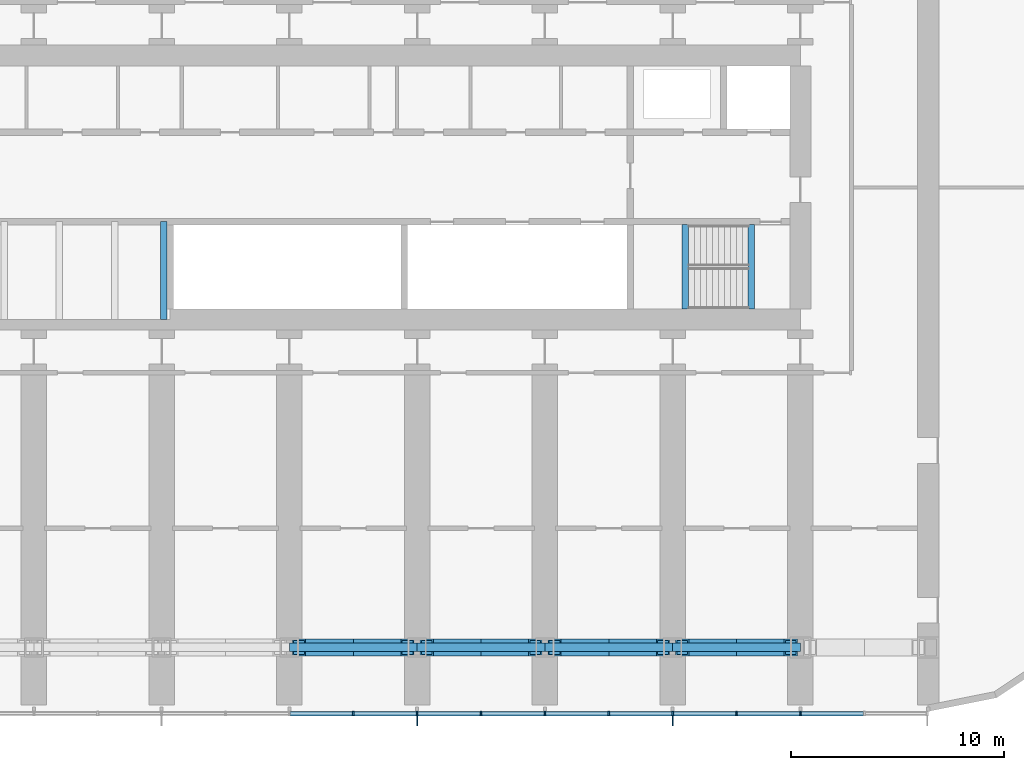
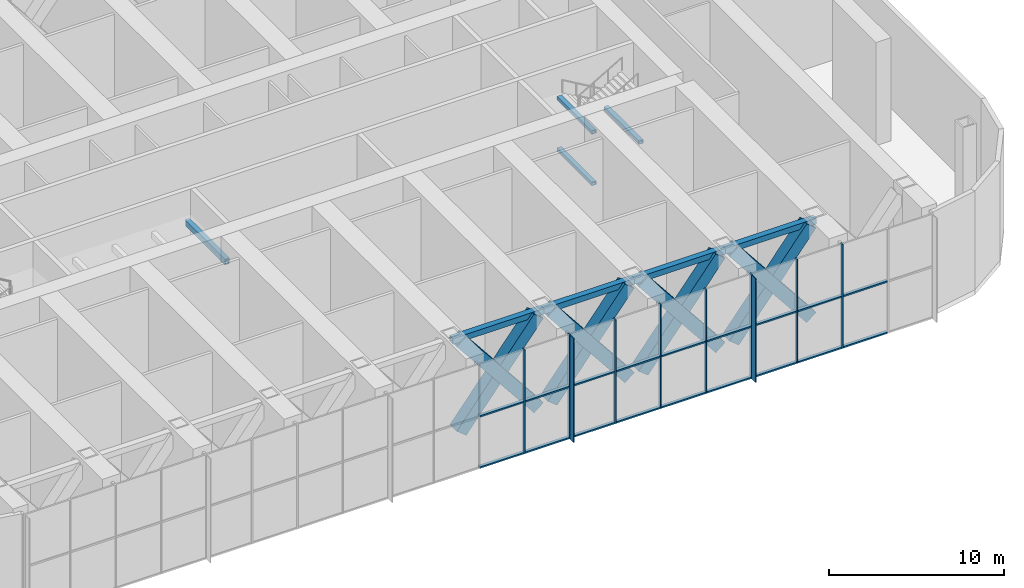
# One storey, part 3 of 24: 36 members, 8 beams, 1 element without a shape of its own.
"""IFC4 building model written with IfcOpenShell, lengths in metres."""

from ifc_helpers import new_model, si_unit, direction, frame, origin, origin_2d, place, context, subcontext, project, spatial, rectangle, hollow_rectangle, extrude, material, material_profile, profile_set, type_object, element, aggregate, save


model = new_model("IFC4")

# Units and contexts
model_context = context("Model", 3, precision=1e-05, world=origin(), true_north=direction((0.0, 1.0)))
body_context = subcontext(model_context, "Body", "Model", "MODEL_VIEW")
ifc_project = project(units=[si_unit("LENGTHUNIT", "METRE"), si_unit("AREAUNIT", "SQUARE_METRE"), si_unit("VOLUMEUNIT", "CUBIC_METRE"), si_unit("PLANEANGLEUNIT", "RADIAN"), si_unit("MASSUNIT", "GRAM", prefix="KILO")], contexts=[model_context])

# Site, building, storey
site_placement = place(None, origin())
site = spatial("IfcSite", under=ifc_project, at=site_placement, CompositionType="ELEMENT")
building_placement = place(site_placement, origin())
building = spatial("IfcBuilding", under=site, at=building_placement, Name="Orbita Commons", CompositionType="ELEMENT")
storey_placement = place(building_placement, frame((0.0, 0.0, 68.949951171875)))
storey = spatial("IfcBuildingStorey", under=building, at=storey_placement, Name="L17", CompositionType="ELEMENT", Elevation=68.949951171875)

# Members
ifc_material_1 = material(Name="Steel ASTM A572 Gr 50 welded plate", Category="steel")
ifc_material_profile_1 = material_profile(ifc_material_1, hollow_rectangle(XDim=0.800048828125, YDim=0.800048828125, WallThickness=0.080078125, at=origin_2d()), Name="BOX 800x800x80")
ifc_profile_set_1 = profile_set([ifc_material_profile_1], Name="Steel ASTM A572 Gr 50 welded plate")
member_type_1 = type_object("IfcMemberType", Name="Belt truss diagonal BOX 800x800x80", PredefinedType="BRACE", material=ifc_profile_set_1)
for number, where, z_axis, x_axis, name in (
    (1, (42.449951171875, 10.39990234375, 0.25), (0.623202279578, 0.0, 0.782060687369), (0.0, 1.0, 0.0), "Belt truss diagonal B 8-9 rising L17"),
    (2, (42.449951171875, 10.39990234375, 6.650146484375), (0.623202279578, 0.0, -0.782060687369), (0.0, 1.0, 0.0), "Belt truss diagonal B 8-9 falling L17"),
    (3, (48.449951171875, 10.39990234375, 0.25), (0.623202279578, 0.0, 0.782060687369), (0.0, 1.0, 0.0), "Belt truss diagonal B 9-10 rising L17"),
    (4, (48.449951171875, 10.39990234375, 6.650146484375), (0.623202279578, 0.0, -0.782060687369), (0.0, 1.0, 0.0), "Belt truss diagonal B 9-10 falling L17"),
    (5, (54.449951171875, 10.39990234375, 0.25), (0.623202279578, 0.0, 0.782060687369), (0.0, 1.0, 0.0), "Belt truss diagonal B 10-11 rising L17"),
    (6, (54.449951171875, 10.39990234375, 6.650146484375), (0.623202279578, 0.0, -0.782060687369), (0.0, 1.0, 0.0), "Belt truss diagonal B 10-11 falling L17"),
    (7, (60.449951171875, 10.39990234375, 0.25), (0.623202279578, 0.0, 0.782060687369), (0.0, 1.0, 0.0), "Belt truss diagonal B 11-12 rising L17"),
    (8, (60.449951171875, 10.39990234375, 6.650146484375), (0.623202279578, 0.0, -0.782060687369), (0.0, 1.0, 0.0), "Belt truss diagonal B 11-12 falling L17"),
):
    element("IfcMember", number, at=place(storey_placement, frame(where, z_axis=z_axis, x_axis=x_axis)), inside=storey, type_object=member_type_1, Name=name, PredefinedType="BRACE", context=body_context, shape_type="SweptSolid", body=[
        extrude(hollow_rectangle(XDim=0.800048828125, YDim=0.800048828125, WallThickness=0.080078125, at=origin_2d()), origin(), (0.0, 0.0, 1.0), 8.18359375),
    ])

# Curtain wall, members
ifc_material_2 = material(Name="Anodised aluminium frame, pale silver", Category="aluminium")
curtain_wall_type = type_object("IfcCurtainWallType", Name="Louvred curtain wall CW-V", PredefinedType="NOTDEFINED", material=ifc_material_2)
curtain_wall_placement = place(storey_placement, origin())
curtain_wall = element("IfcCurtainWall", 9, at=curtain_wall_placement, inside=storey, type_object=curtain_wall_type, Name="Curtain wall south L17", PredefinedType="NOTDEFINED")
ifc_material_3 = material(Name="Anodised aluminium, pale silver", Category="aluminium")
ifc_material_profile_2 = material_profile(ifc_material_3, rectangle(XDim=0.080078125, YDim=0.219970703125, at=origin_2d()), Name="AL 80x220")
ifc_profile_set_2 = profile_set([ifc_material_profile_2], Name="Anodised aluminium, pale silver")
member_type_2 = type_object("IfcMemberType", Name="Curtain wall mullion 80x220", PredefinedType="MULLION", material=ifc_profile_set_2)
member_1_placement = place(storey_placement, frame((45.0, 7.2900390625, -0.349853515625), z_axis=(0.0, 0.0, 1.0), x_axis=(1.0, 0.0, 0.0)))
member_1 = element("IfcMember", 10, at=member_1_placement, type_object=member_type_2, Name="Mullion 12 CW-L17-S", PredefinedType="MULLION", context=body_context, shape_type="SweptSolid", body=[
    extrude(rectangle(XDim=0.080078125, YDim=0.219970703125, at=origin_2d()), origin(), (0.0, 0.0, 1.0), 7.25),
])
member_2_placement = place(storey_placement, frame((48.0, 7.2900390625, -0.349853515625), z_axis=(0.0, 0.0, 1.0), x_axis=(1.0, 0.0, 0.0)))
member_2 = element("IfcMember", 11, at=member_2_placement, type_object=member_type_2, Name="Mullion 13 CW-L17-S", PredefinedType="MULLION", context=body_context, shape_type="SweptSolid", body=[
    extrude(rectangle(XDim=0.080078125, YDim=0.219970703125, at=origin_2d()), origin(), (0.0, 0.0, 1.0), 7.25),
])
member_3_placement = place(storey_placement, frame((51.0, 7.2900390625, -0.349853515625), z_axis=(0.0, 0.0, 1.0), x_axis=(1.0, 0.0, 0.0)))
member_3 = element("IfcMember", 12, at=member_3_placement, type_object=member_type_2, Name="Mullion 14 CW-L17-S", PredefinedType="MULLION", context=body_context, shape_type="SweptSolid", body=[
    extrude(rectangle(XDim=0.080078125, YDim=0.219970703125, at=origin_2d()), origin(), (0.0, 0.0, 1.0), 7.25),
])
member_4_placement = place(storey_placement, frame((54.0, 7.2900390625, -0.349853515625), z_axis=(0.0, 0.0, 1.0), x_axis=(1.0, 0.0, 0.0)))
member_4 = element("IfcMember", 13, at=member_4_placement, type_object=member_type_2, Name="Mullion 15 CW-L17-S", PredefinedType="MULLION", context=body_context, shape_type="SweptSolid", body=[
    extrude(rectangle(XDim=0.080078125, YDim=0.219970703125, at=origin_2d()), origin(), (0.0, 0.0, 1.0), 7.25),
])
member_5_placement = place(storey_placement, frame((57.0, 7.2900390625, -0.349853515625), z_axis=(0.0, 0.0, 1.0), x_axis=(1.0, 0.0, 0.0)))
member_5 = element("IfcMember", 14, at=member_5_placement, type_object=member_type_2, Name="Mullion 16 CW-L17-S", PredefinedType="MULLION", context=body_context, shape_type="SweptSolid", body=[
    extrude(rectangle(XDim=0.080078125, YDim=0.219970703125, at=origin_2d()), origin(), (0.0, 0.0, 1.0), 7.25),
])
member_6_placement = place(storey_placement, frame((60.0, 7.2900390625, -0.349853515625), z_axis=(0.0, 0.0, 1.0), x_axis=(1.0, 0.0, 0.0)))
member_6 = element("IfcMember", 15, at=member_6_placement, type_object=member_type_2, Name="Mullion 17 CW-L17-S", PredefinedType="MULLION", context=body_context, shape_type="SweptSolid", body=[
    extrude(rectangle(XDim=0.080078125, YDim=0.219970703125, at=origin_2d()), origin(), (0.0, 0.0, 1.0), 7.25),
])
member_7_placement = place(storey_placement, frame((63.0, 7.2900390625, -0.349853515625), z_axis=(0.0, 0.0, 1.0), x_axis=(1.0, 0.0, 0.0)))
member_7 = element("IfcMember", 16, at=member_7_placement, type_object=member_type_2, Name="Mullion 18 CW-L17-S", PredefinedType="MULLION", context=body_context, shape_type="SweptSolid", body=[
    extrude(rectangle(XDim=0.080078125, YDim=0.219970703125, at=origin_2d()), origin(), (0.0, 0.0, 1.0), 7.25),
])
member_8_placement = place(storey_placement, frame((66.0, 7.2900390625, -0.349853515625), z_axis=(0.0, 0.0, 1.0), x_axis=(1.0, 0.0, 0.0)))
member_8 = element("IfcMember", 17, at=member_8_placement, type_object=member_type_2, Name="Mullion 19 CW-L17-S", PredefinedType="MULLION", context=body_context, shape_type="SweptSolid", body=[
    extrude(rectangle(XDim=0.080078125, YDim=0.219970703125, at=origin_2d()), origin(), (0.0, 0.0, 1.0), 7.25),
])
ifc_material_4 = material(Name="Anodised aluminium, pale silver", Category="aluminium")
ifc_material_profile_3 = material_profile(ifc_material_4, rectangle(XDim=0.219970703125, YDim=0.10009765625, at=origin_2d()), Name="AL 220x100")
ifc_profile_set_3 = profile_set([ifc_material_profile_3], Name="Anodised aluminium, pale silver")
member_type_3 = type_object("IfcMemberType", Name="Curtain wall stack transom 220x100", PredefinedType="USERDEFINED", material=ifc_profile_set_3)
member_9_placement = place(storey_placement, frame((42.0400390625, 7.2900390625, -0.300048828125), z_axis=(1.0, 0.0, 0.0), x_axis=(0.0, 1.0, 0.0)))
member_9 = element("IfcMember", 18, at=member_9_placement, type_object=member_type_3, Name="Transom 11.1 CW-L17-S", ObjectType="TRANSOM", PredefinedType="USERDEFINED", context=body_context, shape_type="SweptSolid", body=[
    extrude(rectangle(XDim=0.219970703125, YDim=0.10009765625, at=origin_2d()), origin(), (0.0, 0.0, 1.0), 2.919921875),
])
member_10_placement = place(storey_placement, frame((42.0400390625, 7.2900390625, 3.275146484375), z_axis=(1.0, 0.0, 0.0), x_axis=(0.0, 1.0, 0.0)))
member_10 = element("IfcMember", 19, at=member_10_placement, type_object=member_type_3, Name="Transom 11.2 CW-L17-S", ObjectType="TRANSOM", PredefinedType="USERDEFINED", context=body_context, shape_type="SweptSolid", body=[
    extrude(rectangle(XDim=0.219970703125, YDim=0.10009765625, at=origin_2d()), origin(), (0.0, 0.0, 1.0), 2.919921875),
])
member_11_placement = place(storey_placement, frame((45.0400390625, 7.2900390625, -0.300048828125), z_axis=(1.0, 0.0, 0.0), x_axis=(0.0, 1.0, 0.0)))
member_11 = element("IfcMember", 20, at=member_11_placement, type_object=member_type_3, Name="Transom 12.1 CW-L17-S", ObjectType="TRANSOM", PredefinedType="USERDEFINED", context=body_context, shape_type="SweptSolid", body=[
    extrude(rectangle(XDim=0.219970703125, YDim=0.10009765625, at=origin_2d()), origin(), (0.0, 0.0, 1.0), 2.919921875),
])
member_12_placement = place(storey_placement, frame((45.0400390625, 7.2900390625, 3.275146484375), z_axis=(1.0, 0.0, 0.0), x_axis=(0.0, 1.0, 0.0)))
member_12 = element("IfcMember", 21, at=member_12_placement, type_object=member_type_3, Name="Transom 12.2 CW-L17-S", ObjectType="TRANSOM", PredefinedType="USERDEFINED", context=body_context, shape_type="SweptSolid", body=[
    extrude(rectangle(XDim=0.219970703125, YDim=0.10009765625, at=origin_2d()), origin(), (0.0, 0.0, 1.0), 2.919921875),
])
member_13_placement = place(storey_placement, frame((48.0400390625, 7.2900390625, -0.300048828125), z_axis=(1.0, 0.0, 0.0), x_axis=(0.0, 1.0, 0.0)))
member_13 = element("IfcMember", 22, at=member_13_placement, type_object=member_type_3, Name="Transom 13.1 CW-L17-S", ObjectType="TRANSOM", PredefinedType="USERDEFINED", context=body_context, shape_type="SweptSolid", body=[
    extrude(rectangle(XDim=0.219970703125, YDim=0.10009765625, at=origin_2d()), origin(), (0.0, 0.0, 1.0), 2.919921875),
])
member_14_placement = place(storey_placement, frame((48.0400390625, 7.2900390625, 3.275146484375), z_axis=(1.0, 0.0, 0.0), x_axis=(0.0, 1.0, 0.0)))
member_14 = element("IfcMember", 23, at=member_14_placement, type_object=member_type_3, Name="Transom 13.2 CW-L17-S", ObjectType="TRANSOM", PredefinedType="USERDEFINED", context=body_context, shape_type="SweptSolid", body=[
    extrude(rectangle(XDim=0.219970703125, YDim=0.10009765625, at=origin_2d()), origin(), (0.0, 0.0, 1.0), 2.919921875),
])
member_15_placement = place(storey_placement, frame((51.0400390625, 7.2900390625, -0.300048828125), z_axis=(1.0, 0.0, 0.0), x_axis=(0.0, 1.0, 0.0)))
member_15 = element("IfcMember", 24, at=member_15_placement, type_object=member_type_3, Name="Transom 14.1 CW-L17-S", ObjectType="TRANSOM", PredefinedType="USERDEFINED", context=body_context, shape_type="SweptSolid", body=[
    extrude(rectangle(XDim=0.219970703125, YDim=0.10009765625, at=origin_2d()), origin(), (0.0, 0.0, 1.0), 2.919921875),
])
member_16_placement = place(storey_placement, frame((51.0400390625, 7.2900390625, 3.275146484375), z_axis=(1.0, 0.0, 0.0), x_axis=(0.0, 1.0, 0.0)))
member_16 = element("IfcMember", 25, at=member_16_placement, type_object=member_type_3, Name="Transom 14.2 CW-L17-S", ObjectType="TRANSOM", PredefinedType="USERDEFINED", context=body_context, shape_type="SweptSolid", body=[
    extrude(rectangle(XDim=0.219970703125, YDim=0.10009765625, at=origin_2d()), origin(), (0.0, 0.0, 1.0), 2.919921875),
])
member_17_placement = place(storey_placement, frame((54.0400390625, 7.2900390625, -0.300048828125), z_axis=(1.0, 0.0, 0.0), x_axis=(0.0, 1.0, 0.0)))
member_17 = element("IfcMember", 26, at=member_17_placement, type_object=member_type_3, Name="Transom 15.1 CW-L17-S", ObjectType="TRANSOM", PredefinedType="USERDEFINED", context=body_context, shape_type="SweptSolid", body=[
    extrude(rectangle(XDim=0.219970703125, YDim=0.10009765625, at=origin_2d()), origin(), (0.0, 0.0, 1.0), 2.919921875),
])
member_18_placement = place(storey_placement, frame((54.0400390625, 7.2900390625, 3.275146484375), z_axis=(1.0, 0.0, 0.0), x_axis=(0.0, 1.0, 0.0)))
member_18 = element("IfcMember", 27, at=member_18_placement, type_object=member_type_3, Name="Transom 15.2 CW-L17-S", ObjectType="TRANSOM", PredefinedType="USERDEFINED", context=body_context, shape_type="SweptSolid", body=[
    extrude(rectangle(XDim=0.219970703125, YDim=0.10009765625, at=origin_2d()), origin(), (0.0, 0.0, 1.0), 2.919921875),
])
member_19_placement = place(storey_placement, frame((57.0400390625, 7.2900390625, -0.300048828125), z_axis=(1.0, 0.0, 0.0), x_axis=(0.0, 1.0, 0.0)))
member_19 = element("IfcMember", 28, at=member_19_placement, type_object=member_type_3, Name="Transom 16.1 CW-L17-S", ObjectType="TRANSOM", PredefinedType="USERDEFINED", context=body_context, shape_type="SweptSolid", body=[
    extrude(rectangle(XDim=0.219970703125, YDim=0.10009765625, at=origin_2d()), origin(), (0.0, 0.0, 1.0), 2.919921875),
])
member_20_placement = place(storey_placement, frame((57.0400390625, 7.2900390625, 3.275146484375), z_axis=(1.0, 0.0, 0.0), x_axis=(0.0, 1.0, 0.0)))
member_20 = element("IfcMember", 29, at=member_20_placement, type_object=member_type_3, Name="Transom 16.2 CW-L17-S", ObjectType="TRANSOM", PredefinedType="USERDEFINED", context=body_context, shape_type="SweptSolid", body=[
    extrude(rectangle(XDim=0.219970703125, YDim=0.10009765625, at=origin_2d()), origin(), (0.0, 0.0, 1.0), 2.919921875),
])
member_21_placement = place(storey_placement, frame((60.0400390625, 7.2900390625, -0.300048828125), z_axis=(1.0, 0.0, 0.0), x_axis=(0.0, 1.0, 0.0)))
member_21 = element("IfcMember", 30, at=member_21_placement, type_object=member_type_3, Name="Transom 17.1 CW-L17-S", ObjectType="TRANSOM", PredefinedType="USERDEFINED", context=body_context, shape_type="SweptSolid", body=[
    extrude(rectangle(XDim=0.219970703125, YDim=0.10009765625, at=origin_2d()), origin(), (0.0, 0.0, 1.0), 2.919921875),
])
member_22_placement = place(storey_placement, frame((60.0400390625, 7.2900390625, 3.275146484375), z_axis=(1.0, 0.0, 0.0), x_axis=(0.0, 1.0, 0.0)))
member_22 = element("IfcMember", 31, at=member_22_placement, type_object=member_type_3, Name="Transom 17.2 CW-L17-S", ObjectType="TRANSOM", PredefinedType="USERDEFINED", context=body_context, shape_type="SweptSolid", body=[
    extrude(rectangle(XDim=0.219970703125, YDim=0.10009765625, at=origin_2d()), origin(), (0.0, 0.0, 1.0), 2.919921875),
])
member_23_placement = place(storey_placement, frame((63.0400390625, 7.2900390625, -0.300048828125), z_axis=(1.0, 0.0, 0.0), x_axis=(0.0, 1.0, 0.0)))
member_23 = element("IfcMember", 32, at=member_23_placement, type_object=member_type_3, Name="Transom 18.1 CW-L17-S", ObjectType="TRANSOM", PredefinedType="USERDEFINED", context=body_context, shape_type="SweptSolid", body=[
    extrude(rectangle(XDim=0.219970703125, YDim=0.10009765625, at=origin_2d()), origin(), (0.0, 0.0, 1.0), 2.919921875),
])
member_24_placement = place(storey_placement, frame((63.0400390625, 7.2900390625, 3.275146484375), z_axis=(1.0, 0.0, 0.0), x_axis=(0.0, 1.0, 0.0)))
member_24 = element("IfcMember", 33, at=member_24_placement, type_object=member_type_3, Name="Transom 18.2 CW-L17-S", ObjectType="TRANSOM", PredefinedType="USERDEFINED", context=body_context, shape_type="SweptSolid", body=[
    extrude(rectangle(XDim=0.219970703125, YDim=0.10009765625, at=origin_2d()), origin(), (0.0, 0.0, 1.0), 2.919921875),
])
member_25_placement = place(storey_placement, frame((66.0400390625, 7.2900390625, -0.300048828125), z_axis=(1.0, 0.0, 0.0), x_axis=(0.0, 1.0, 0.0)))
member_25 = element("IfcMember", 34, at=member_25_placement, type_object=member_type_3, Name="Transom 19.1 CW-L17-S", ObjectType="TRANSOM", PredefinedType="USERDEFINED", context=body_context, shape_type="SweptSolid", body=[
    extrude(rectangle(XDim=0.219970703125, YDim=0.10009765625, at=origin_2d()), origin(), (0.0, 0.0, 1.0), 2.919921875),
])
member_26_placement = place(storey_placement, frame((66.0400390625, 7.2900390625, 3.275146484375), z_axis=(1.0, 0.0, 0.0), x_axis=(0.0, 1.0, 0.0)))
member_26 = element("IfcMember", 35, at=member_26_placement, type_object=member_type_3, Name="Transom 19.2 CW-L17-S", ObjectType="TRANSOM", PredefinedType="USERDEFINED", context=body_context, shape_type="SweptSolid", body=[
    extrude(rectangle(XDim=0.219970703125, YDim=0.10009765625, at=origin_2d()), origin(), (0.0, 0.0, 1.0), 2.919921875),
])

# Beams
ifc_material_5 = material(Name="Steel ASTM A572 Gr 50 welded plate", Category="steel")
ifc_material_profile_4 = material_profile(ifc_material_5, hollow_rectangle(XDim=0.300048828125, YDim=0.39990234375, WallThickness=0.0400390625, at=origin_2d()), Name="BOX 400x300x40")
ifc_profile_set_4 = profile_set([ifc_material_profile_4], Name="Steel ASTM A572 Gr 50 welded plate")
beam_type_1 = type_object("IfcBeamType", Name="Lift pit beam steel BOX 400x300x40", PredefinedType="BEAM", material=ifc_profile_set_4)
beam_placement = place(storey_placement, frame((36.10009765625, 25.800048828125, 4.900146484375), z_axis=(0.0, 1.0, 0.0), x_axis=(-1.0, 0.0, 0.0)))
element("IfcBeam", 36, at=beam_placement, inside=storey, type_object=beam_type_1, Name="Lift pit slab bank P2 beam 5", PredefinedType="BEAM", context=body_context, shape_type="SweptSolid", body=[
    extrude(hollow_rectangle(XDim=0.300048828125, YDim=0.39990234375, WallThickness=0.0400390625, at=origin_2d()), origin(), (0.0, 0.0, 1.0), 4.599853515625),
])
ifc_material_6 = material(Name="Steel ASTM A572 Gr 50 welded plate", Category="steel")
ifc_material_profile_5 = material_profile(ifc_material_6, hollow_rectangle(XDim=0.300048828125, YDim=0.25, WallThickness=0.02490234375, at=origin_2d()), Name="BOX 250x300x25")
ifc_profile_set_5 = profile_set([ifc_material_profile_5], Name="Steel ASTM A572 Gr 50 welded plate")
beam_type_2 = type_object("IfcBeamType", Name="Stair landing beam steel BOX 250x300x25", PredefinedType="BEAM", material=ifc_profile_set_5)
for number, where, z_axis, x_axis, name in (
    (37, (60.60009765625, 26.284912109375, 1.47509765625), (0.0, 1.0, 0.0), (-1.0, 0.0, 0.0), "Stair S2 landing beam L17 1"),
    (38, (63.699951171875, 26.284912109375, 3.275146484375), (0.0, 1.0, 0.0), (-1.0, 0.0, 0.0), "Stair S2 landing beam L17 2"),
    (39, (60.60009765625, 26.284912109375, 5.074951171875), (0.0, 1.0, 0.0), (-1.0, 0.0, 0.0), "Stair S2 landing beam L17 3"),
):
    element("IfcBeam", number, at=place(storey_placement, frame(where, z_axis=z_axis, x_axis=x_axis)), inside=storey, type_object=beam_type_2, Name=name, PredefinedType="BEAM", context=body_context, shape_type="SweptSolid", body=[
        extrude(hollow_rectangle(XDim=0.300048828125, YDim=0.25, WallThickness=0.02490234375, at=origin_2d()), origin(), (0.0, 0.0, 1.0), 3.97998046875),
    ])
ifc_material_7 = material(Name="Steel ASTM A572 Gr 50 welded plate", Category="steel")
ifc_material_profile_6 = material_profile(ifc_material_7, hollow_rectangle(XDim=0.39990234375, YDim=0.39990234375, WallThickness=0.0400390625, at=origin_2d()), Name="BOX 400x400x40")
ifc_profile_set_6 = profile_set([ifc_material_profile_6], Name="Steel ASTM A572 Gr 50 welded plate")
beam_type_3 = type_object("IfcBeamType", Name="Steel spandrel BOX 400x400x40", PredefinedType="SPANDREL", material=ifc_profile_set_6)
for number, where, z_axis, x_axis, name in (
    (40, (42.0, 10.39990234375, 6.699951171875), (1.0, 0.0, 0.0), (0.0, 1.0, 0.0), "Spandrel beam B 8-9 L17"),
    (41, (48.0, 10.39990234375, 6.699951171875), (1.0, 0.0, 0.0), (0.0, 1.0, 0.0), "Spandrel beam B 9-10 L17"),
    (42, (54.0, 10.39990234375, 6.699951171875), (1.0, 0.0, 0.0), (0.0, 1.0, 0.0), "Spandrel beam B 10-11 L17"),
    (43, (60.0, 10.39990234375, 6.699951171875), (1.0, 0.0, 0.0), (0.0, 1.0, 0.0), "Spandrel beam B 11-12 L17"),
):
    element("IfcBeam", number, at=place(storey_placement, frame(where, z_axis=z_axis, x_axis=x_axis)), inside=storey, type_object=beam_type_3, Name=name, PredefinedType="SPANDREL", context=body_context, shape_type="SweptSolid", body=[
        extrude(hollow_rectangle(XDim=0.39990234375, YDim=0.39990234375, WallThickness=0.0400390625, at=origin_2d()), origin(), (0.0, 0.0, 1.0), 6.0),
    ])

# Member
ifc_material_8 = material(Name="Anodised aluminium, pale silver", Category="aluminium")
ifc_material_profile_7 = material_profile(ifc_material_8, rectangle(XDim=0.06005859375, YDim=0.449951171875, at=origin_2d()), Name="FIN 60x450")
ifc_profile_set_7 = profile_set([ifc_material_profile_7], Name="Anodised aluminium, pale silver")
member_type_4 = type_object("IfcMemberType", Name="Vertical fin 60x450 pale aluminium", PredefinedType="USERDEFINED", material=ifc_profile_set_7)
member_27_placement = place(storey_placement, frame((48.0, 6.955078125, -0.349853515625), z_axis=(0.0, 0.0, 1.0), x_axis=(1.0, 0.0, 0.0)))
member_27 = element("IfcMember", 44, at=member_27_placement, type_object=member_type_4, Name="Fin 13 CW-L17-S", ObjectType="FIN", PredefinedType="USERDEFINED", context=body_context, shape_type="SweptSolid", body=[
    extrude(rectangle(XDim=0.06005859375, YDim=0.449951171875, at=origin_2d()), origin(), (0.0, 0.0, 1.0), 7.25),
])

member_28_placement = place(storey_placement, frame((60.0, 6.955078125, -0.349853515625), z_axis=(0.0, 0.0, 1.0), x_axis=(1.0, 0.0, 0.0)))
member_28 = element("IfcMember", 45, at=member_28_placement, type_object=member_type_4, Name="Fin 17 CW-L17-S", ObjectType="FIN", PredefinedType="USERDEFINED", context=body_context, shape_type="SweptSolid", body=[
    extrude(rectangle(XDim=0.06005859375, YDim=0.449951171875, at=origin_2d()), origin(), (0.0, 0.0, 1.0), 7.25),
])

aggregate(curtain_wall, [member_1, member_2, member_27, member_3, member_4, member_5, member_6, member_28, member_7, member_8, member_9, member_10, member_11, member_12, member_13, member_14, member_15, member_16, member_17, member_18, member_19, member_20, member_21, member_22, member_23, member_24, member_25, member_26])

save(model, "model.ifc")
